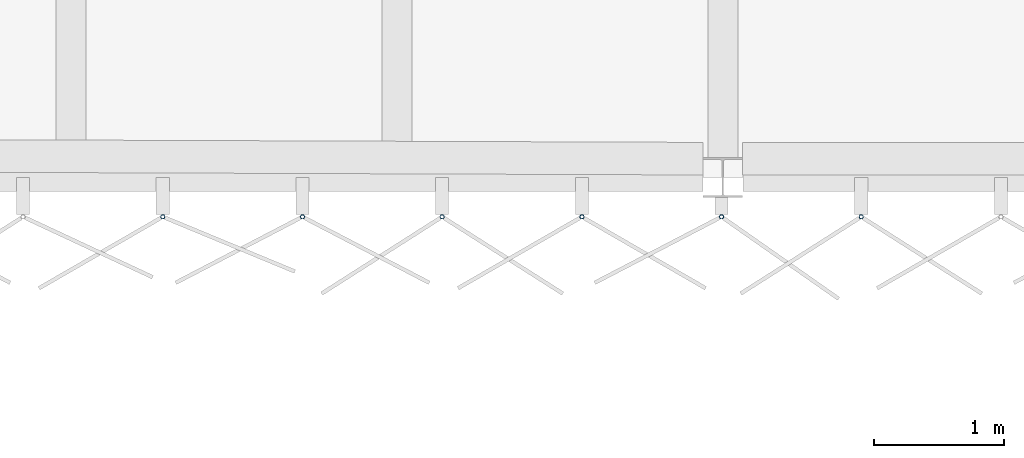
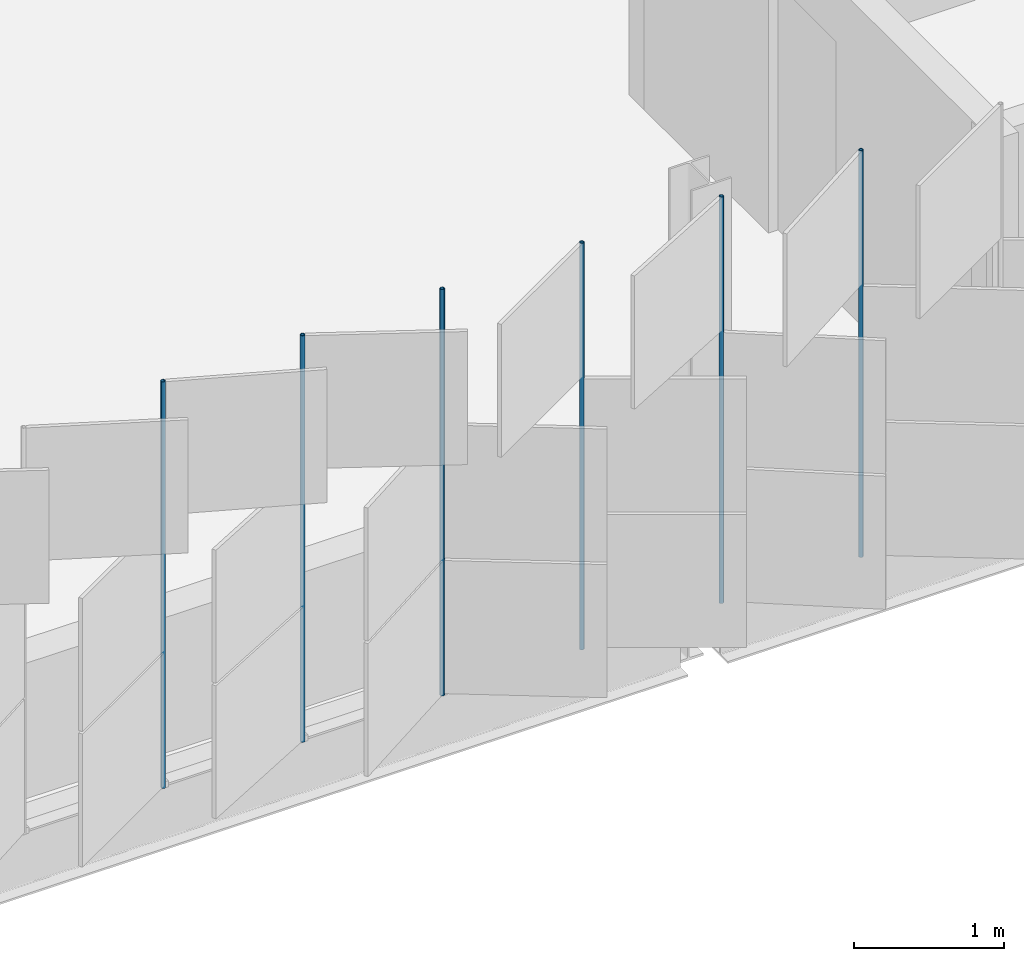
# One storey, part 77 of 198: 6 discrete accessories.
"""IFC4 building model written with IfcOpenShell, lengths in metres."""

from ifc_helpers import new_model, si_unit, direction, frame, origin, origin_2d, place, context, subcontext, project, spatial, hollow_circle, extrude, material, material_profile, profile_set, type_object, element, save


model = new_model("IFC4")

# Units and contexts
model_context = context("Model", 3, precision=1e-05, world=origin(), true_north=direction((0.0, 1.0)))
body_context = subcontext(model_context, "Body", "Model", "MODEL_VIEW")
ifc_project = project(units=[si_unit("LENGTHUNIT", "METRE"), si_unit("AREAUNIT", "SQUARE_METRE"), si_unit("VOLUMEUNIT", "CUBIC_METRE"), si_unit("PLANEANGLEUNIT", "RADIAN"), si_unit("MASSUNIT", "GRAM", prefix="KILO")], contexts=[model_context])

# Site, building, storey
site_placement = place(None, origin())
site = spatial("IfcSite", under=ifc_project, at=site_placement, CompositionType="ELEMENT")
building_placement = place(site_placement, origin())
building = spatial("IfcBuilding", under=site, at=building_placement, Name="Parallax Yard Mobility Hub", CompositionType="ELEMENT")
storey_placement = place(building_placement, frame((0.0, 0.0, 6.60009765625)))
storey = spatial("IfcBuildingStorey", under=building, at=storey_placement, Name="L02", CompositionType="ELEMENT", Elevation=6.60009765625)

# Discrete accessories
ifc_material = material(Name="Steel ASTM A500 Gr C, hot-dip galvanised", Category="steel")
ifc_material_profile = material_profile(ifc_material, hollow_circle(Radius=0.016845703125, WallThickness=0.003173828125, at=origin_2d()), Name="CHS 33.7x3.2")
ifc_profile_set = profile_set([ifc_material_profile], Name="Steel ASTM A500 Gr C, hot-dip galvanised")
discrete_accessory_type = type_object("IfcDiscreteAccessoryType", Name="Hinge post CHS 33.7x3.2", PredefinedType="BRACKET", material=ifc_profile_set)
for number, where, z_axis, x_axis, name in (
    (1, (93.203857421875, 112.199951171875, 0.0), (0.0, 0.0, 1.0), (1.0, 0.0, 0.0), "Hinge post bay 8.4 level L02"),
    (2, (94.275390625, 112.199951171875, 0.0), (0.0, 0.0, 1.0), (1.0, 0.0, 0.0), "Hinge post bay 8.5 level L02"),
    (3, (95.346923828125, 112.199951171875, 0.0), (0.0, 0.0, 1.0), (1.0, 0.0, 0.0), "Hinge post bay 8.6 level L02"),
    (4, (96.41845703125, 112.199951171875, 0.0), (0.0, 0.0, 1.0), (1.0, 0.0, 0.0), "Hinge post bay 8.7 level L02"),
    (5, (97.489990234375, 112.199951171875, 0.0), (0.0, 0.0, 1.0), (1.0, 0.0, 0.0), "Hinge post bay 9.1 level L02"),
    (6, (98.561279296875, 112.199951171875, 0.0), (0.0, 0.0, 1.0), (1.0, 0.0, 0.0), "Hinge post bay 9.2 level L02"),
):
    element("IfcDiscreteAccessory", number, at=place(storey_placement, frame(where, z_axis=z_axis, x_axis=x_axis)), inside=storey, type_object=discrete_accessory_type, Name=name, PredefinedType="BRACKET", context=body_context, shape_type="SweptSolid", body=[
        extrude(hollow_circle(Radius=0.016845703125, WallThickness=0.003173828125, at=origin_2d()), origin(), (0.0, 0.0, 1.0), 3.2998046875),
    ])

save(model, "model.ifc")
